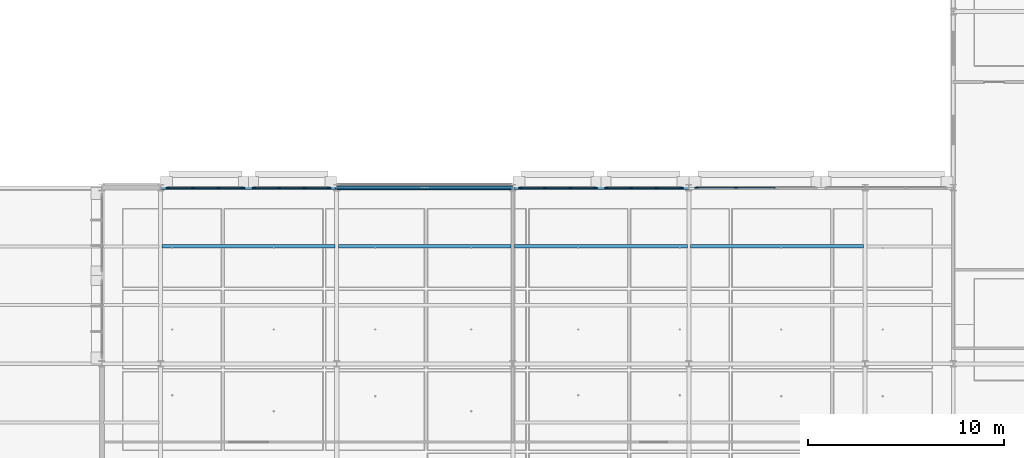
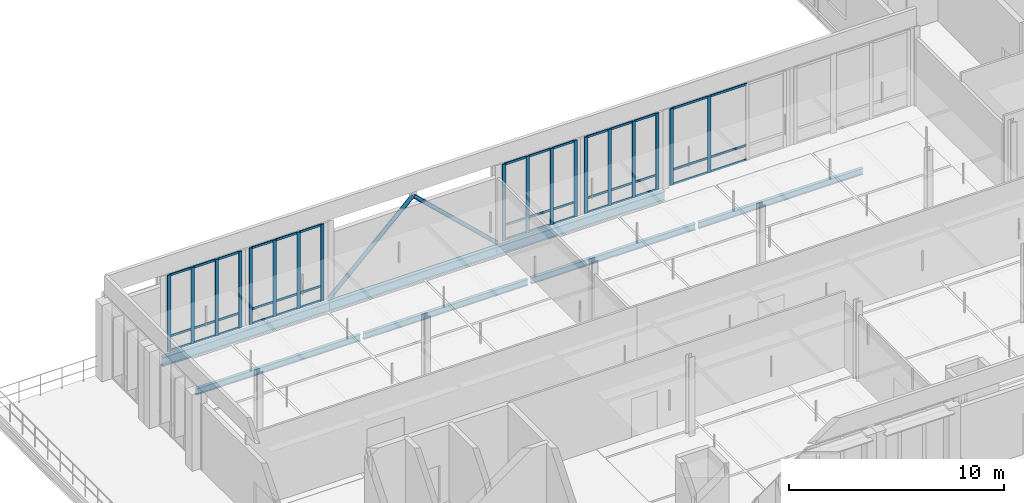
# One storey, part 27 of 89: 62 members, 7 beams, 5 elements without a shape of their own.
"""IFC4 building model written with IfcOpenShell, lengths in metres."""

from ifc_helpers import new_model, si_unit, direction, frame, origin, origin_2d, place, context, subcontext, project, spatial, rectangle, hollow_circle, i_section, extrude, material, material_profile, profile_set, type_object, element, aggregate, save


model = new_model("IFC4")

# Units and contexts
model_context = context("Model", 3, precision=1e-05, world=origin(), true_north=direction((0.0, 1.0)))
body_context = subcontext(model_context, "Body", "Model", "MODEL_VIEW")
ifc_project = project(units=[si_unit("LENGTHUNIT", "METRE"), si_unit("AREAUNIT", "SQUARE_METRE"), si_unit("VOLUMEUNIT", "CUBIC_METRE"), si_unit("PLANEANGLEUNIT", "RADIAN"), si_unit("MASSUNIT", "GRAM", prefix="KILO"), si_unit("THERMODYNAMICTEMPERATUREUNIT", "KELVIN"), si_unit("POWERUNIT", "WATT")], contexts=[model_context])

# Site, building, storey
site_placement = place(None, origin())
site = spatial("IfcSite", under=ifc_project, at=site_placement, CompositionType="ELEMENT")
building_placement = place(site_placement, origin())
building = spatial("IfcBuilding", under=site, at=building_placement, Name="Tallowbark Science Centre", CompositionType="ELEMENT")
storey_placement = place(building_placement, frame((0.0, 0.0, 14.39990234375)))
storey = spatial("IfcBuildingStorey", under=building, at=storey_placement, Name="L03", CompositionType="ELEMENT", Elevation=14.39990234375)

# Beams
ifc_material_1 = material(Name="Structural Steel Grade 300PLUS (300 MPa)", Category="steel")
ifc_material_profile_1 = material_profile(ifc_material_1, i_section(OverallWidth=0.208984375, OverallDepth=0.532958984375, WebThickness=0.01025390625, FlangeThickness=0.015625, FilletRadius=0.013916015625, at=origin_2d()), Name="530UB92.4")
ifc_profile_set_1 = profile_set([ifc_material_profile_1], Name="Structural Steel Grade 300PLUS (300 MPa)")
beam_type_1 = type_object("IfcBeamType", Name="BM-UB530A", PredefinedType="BEAM", material=ifc_profile_set_1)
for number, where, z_axis, x_axis, name in (
    (1, (72.0, 99.0, -0.4462890625), (1.0, 0.0, 0.0), (0.0, 1.0, 0.0), "Primary Girder GRDX-L03-720-810-990"),
    (2, (81.0, 99.0, -0.4462890625), (1.0, 0.0, 0.0), (0.0, 1.0, 0.0), "Primary Girder GRDX-L03-810-900-990"),
    (3, (90.0, 99.0, -0.4462890625), (1.0, 0.0, 0.0), (0.0, 1.0, 0.0), "Primary Girder GRDX-L03-900-990-990"),
):
    element("IfcBeam", number, at=place(storey_placement, frame(where, z_axis=z_axis, x_axis=x_axis)), inside=storey, type_object=beam_type_1, Name=name, PredefinedType="BEAM", context=body_context, shape_type="SweptSolid", body=[
        extrude(i_section(OverallWidth=0.208984375, OverallDepth=0.532958984375, WebThickness=0.01025390625, FlangeThickness=0.015625, FilletRadius=0.013916015625, at=origin_2d()), origin(), (0.0, 0.0, 1.0), 9.0),
    ])

# Members
ifc_material_2 = material(Name="Structural Steel Grade C350L0 (350 MPa)", Category="steel")
ifc_material_profile_2 = material_profile(ifc_material_2, hollow_circle(Radius=0.109619140625, WallThickness=0.00830078125, at=origin_2d()), Name="219.1x8.2CHS")
ifc_profile_set_2 = profile_set([ifc_material_profile_2], Name="Structural Steel Grade C350L0 (350 MPa)")
member_type_1 = type_object("IfcMemberType", Name="CBF-219CHS", PredefinedType="BRACE", material=ifc_profile_set_2)
for number, where, z_axis, x_axis, name in (
    (4, (81.0, 99.0, 0.0), (0.72701315255, 0.0, 0.686623532964), (0.0, 1.0, 0.0), "Concentric Chevron Brace CBF-LAB-N1 L03 Left"),
    (5, (90.0, 99.0, 0.0), (-0.72701315255, 0.0, 0.686623532964), (0.0, -1.0, 0.0), "Concentric Chevron Brace CBF-LAB-N1 L03 Right"),
):
    element("IfcMember", number, at=place(storey_placement, frame(where, z_axis=z_axis, x_axis=x_axis)), inside=storey, type_object=member_type_1, Name=name, PredefinedType="BRACE", context=body_context, shape_type="SweptSolid", body=[
        extrude(hollow_circle(Radius=0.109619140625, WallThickness=0.00830078125, at=origin_2d()), origin(), (0.0, 0.0, 1.0), 6.189697265625),
    ])

# Curtain wall, members
ifc_material_3 = material(Name="Unitised Thermally Broken Aluminium and Low-E Double Glazing", Category="aluminium")
curtain_wall_type = type_object("IfcCurtainWallType", Name="CW-SYS-FACADE", PredefinedType="NOTDEFINED", material=ifc_material_3)
curtain_wall_1_placement = place(storey_placement, origin())
curtain_wall_1 = element("IfcCurtainWall", 6, at=curtain_wall_1_placement, inside=storey, type_object=curtain_wall_type, Name="Unitised Curtain Wall LAB-N-72A CW-L03-084", PredefinedType="NOTDEFINED")
ifc_material_4 = material(Name="Anodised Architectural Aluminium Alloy 6063-T6", Category="aluminium")
ifc_material_profile_3 = material_profile(ifc_material_4, rectangle(XDim=0.06494140625, YDim=0.179931640625, at=origin_2d()), Name="ALU65x180")
ifc_profile_set_3 = profile_set([ifc_material_profile_3], Name="Anodised Architectural Aluminium Alloy 6063-T6")
member_type_2 = type_object("IfcMemberType", Name="CWM-MUL-220", PredefinedType="MULLION", material=ifc_profile_set_3)
member_1_placement = place(storey_placement, frame((80.617431640625, 99.0, 0.0), z_axis=(0.0, 0.0, 1.0), x_axis=(0.0, -1.0, 0.0)))
member_1 = element("IfcMember", 7, at=member_1_placement, type_object=member_type_2, Name="CW-01 mullion 1", PredefinedType="MULLION", context=body_context, shape_type="SweptSolid", body=[
    extrude(rectangle(XDim=0.06494140625, YDim=0.179931640625, at=origin_2d()), origin(), (0.0, 0.0, 1.0), 4.340087890625),
])
member_2_placement = place(storey_placement, frame((79.35009765625, 99.0, 0.0), z_axis=(0.0, 0.0, 1.0), x_axis=(0.0, -1.0, 0.0)))
member_2 = element("IfcMember", 8, at=member_2_placement, type_object=member_type_2, Name="CW-01 mullion 2", PredefinedType="MULLION", context=body_context, shape_type="SweptSolid", body=[
    extrude(rectangle(XDim=0.06494140625, YDim=0.179931640625, at=origin_2d()), origin(), (0.0, 0.0, 1.0), 4.340087890625),
])
member_3_placement = place(storey_placement, frame((78.050048828125, 99.0, 0.0), z_axis=(0.0, 0.0, 1.0), x_axis=(0.0, -1.0, 0.0)))
member_3 = element("IfcMember", 9, at=member_3_placement, type_object=member_type_2, Name="CW-01 mullion 3", PredefinedType="MULLION", context=body_context, shape_type="SweptSolid", body=[
    extrude(rectangle(XDim=0.06494140625, YDim=0.179931640625, at=origin_2d()), origin(), (0.0, 0.0, 1.0), 4.340087890625),
])
member_4_placement = place(storey_placement, frame((76.782470703125, 99.0, 0.0), z_axis=(0.0, 0.0, 1.0), x_axis=(0.0, -1.0, 0.0)))
member_4 = element("IfcMember", 10, at=member_4_placement, type_object=member_type_2, Name="CW-01 mullion 4", PredefinedType="MULLION", context=body_context, shape_type="SweptSolid", body=[
    extrude(rectangle(XDim=0.06494140625, YDim=0.179931640625, at=origin_2d()), origin(), (0.0, 0.0, 1.0), 4.340087890625),
])

curtain_wall_2_placement = place(storey_placement, origin())
curtain_wall_2 = element("IfcCurtainWall", 11, at=curtain_wall_2_placement, inside=storey, type_object=curtain_wall_type, Name="Unitised Curtain Wall LAB-N-72B CW-L03-085", PredefinedType="NOTDEFINED")
member_5_placement = place(storey_placement, frame((76.217529296875, 99.0, 0.0), z_axis=(0.0, 0.0, 1.0), x_axis=(0.0, -1.0, 0.0)))
member_5 = element("IfcMember", 12, at=member_5_placement, type_object=member_type_2, Name="CW-01 mullion 1", PredefinedType="MULLION", context=body_context, shape_type="SweptSolid", body=[
    extrude(rectangle(XDim=0.06494140625, YDim=0.179931640625, at=origin_2d()), origin(), (0.0, 0.0, 1.0), 4.340087890625),
])
member_6_placement = place(storey_placement, frame((74.949951171875, 99.0, 0.0), z_axis=(0.0, 0.0, 1.0), x_axis=(0.0, -1.0, 0.0)))
member_6 = element("IfcMember", 13, at=member_6_placement, type_object=member_type_2, Name="CW-01 mullion 2", PredefinedType="MULLION", context=body_context, shape_type="SweptSolid", body=[
    extrude(rectangle(XDim=0.06494140625, YDim=0.179931640625, at=origin_2d()), origin(), (0.0, 0.0, 1.0), 4.340087890625),
])
member_7_placement = place(storey_placement, frame((73.64990234375, 99.0, 0.0), z_axis=(0.0, 0.0, 1.0), x_axis=(0.0, -1.0, 0.0)))
member_7 = element("IfcMember", 14, at=member_7_placement, type_object=member_type_2, Name="CW-01 mullion 3", PredefinedType="MULLION", context=body_context, shape_type="SweptSolid", body=[
    extrude(rectangle(XDim=0.06494140625, YDim=0.179931640625, at=origin_2d()), origin(), (0.0, 0.0, 1.0), 4.340087890625),
])
member_8_placement = place(storey_placement, frame((72.382568359375, 99.0, 0.0), z_axis=(0.0, 0.0, 1.0), x_axis=(0.0, -1.0, 0.0)))
member_8 = element("IfcMember", 15, at=member_8_placement, type_object=member_type_2, Name="CW-01 mullion 4", PredefinedType="MULLION", context=body_context, shape_type="SweptSolid", body=[
    extrude(rectangle(XDim=0.06494140625, YDim=0.179931640625, at=origin_2d()), origin(), (0.0, 0.0, 1.0), 4.340087890625),
])

curtain_wall_3_placement = place(storey_placement, origin())
curtain_wall_3 = element("IfcCurtainWall", 16, at=curtain_wall_3_placement, inside=storey, type_object=curtain_wall_type, Name="Unitised Curtain Wall LAB-N-90A CW-L03-086", PredefinedType="NOTDEFINED")
member_9_placement = place(storey_placement, frame((98.617431640625, 99.0, 0.0), z_axis=(0.0, 0.0, 1.0), x_axis=(0.0, -1.0, 0.0)))
member_9 = element("IfcMember", 17, at=member_9_placement, type_object=member_type_2, Name="CW-01 mullion 1", PredefinedType="MULLION", context=body_context, shape_type="SweptSolid", body=[
    extrude(rectangle(XDim=0.06494140625, YDim=0.179931640625, at=origin_2d()), origin(), (0.0, 0.0, 1.0), 4.340087890625),
])
member_10_placement = place(storey_placement, frame((97.35009765625, 99.0, 0.0), z_axis=(0.0, 0.0, 1.0), x_axis=(0.0, -1.0, 0.0)))
member_10 = element("IfcMember", 18, at=member_10_placement, type_object=member_type_2, Name="CW-01 mullion 2", PredefinedType="MULLION", context=body_context, shape_type="SweptSolid", body=[
    extrude(rectangle(XDim=0.06494140625, YDim=0.179931640625, at=origin_2d()), origin(), (0.0, 0.0, 1.0), 4.340087890625),
])
member_11_placement = place(storey_placement, frame((96.050048828125, 99.0, 0.0), z_axis=(0.0, 0.0, 1.0), x_axis=(0.0, -1.0, 0.0)))
member_11 = element("IfcMember", 19, at=member_11_placement, type_object=member_type_2, Name="CW-01 mullion 3", PredefinedType="MULLION", context=body_context, shape_type="SweptSolid", body=[
    extrude(rectangle(XDim=0.06494140625, YDim=0.179931640625, at=origin_2d()), origin(), (0.0, 0.0, 1.0), 4.340087890625),
])
member_12_placement = place(storey_placement, frame((94.782470703125, 99.0, 0.0), z_axis=(0.0, 0.0, 1.0), x_axis=(0.0, -1.0, 0.0)))
member_12 = element("IfcMember", 20, at=member_12_placement, type_object=member_type_2, Name="CW-01 mullion 4", PredefinedType="MULLION", context=body_context, shape_type="SweptSolid", body=[
    extrude(rectangle(XDim=0.06494140625, YDim=0.179931640625, at=origin_2d()), origin(), (0.0, 0.0, 1.0), 4.340087890625),
])

curtain_wall_4_placement = place(storey_placement, origin())
curtain_wall_4 = element("IfcCurtainWall", 21, at=curtain_wall_4_placement, inside=storey, type_object=curtain_wall_type, Name="Unitised Curtain Wall LAB-N-90B CW-L03-087", PredefinedType="NOTDEFINED")
member_13_placement = place(storey_placement, frame((94.217529296875, 99.0, 0.0), z_axis=(0.0, 0.0, 1.0), x_axis=(0.0, -1.0, 0.0)))
member_13 = element("IfcMember", 22, at=member_13_placement, type_object=member_type_2, Name="CW-01 mullion 1", PredefinedType="MULLION", context=body_context, shape_type="SweptSolid", body=[
    extrude(rectangle(XDim=0.06494140625, YDim=0.179931640625, at=origin_2d()), origin(), (0.0, 0.0, 1.0), 4.340087890625),
])
member_14_placement = place(storey_placement, frame((92.949951171875, 99.0, 0.0), z_axis=(0.0, 0.0, 1.0), x_axis=(0.0, -1.0, 0.0)))
member_14 = element("IfcMember", 23, at=member_14_placement, type_object=member_type_2, Name="CW-01 mullion 2", PredefinedType="MULLION", context=body_context, shape_type="SweptSolid", body=[
    extrude(rectangle(XDim=0.06494140625, YDim=0.179931640625, at=origin_2d()), origin(), (0.0, 0.0, 1.0), 4.340087890625),
])
member_15_placement = place(storey_placement, frame((91.64990234375, 99.0, 0.0), z_axis=(0.0, 0.0, 1.0), x_axis=(0.0, -1.0, 0.0)))
member_15 = element("IfcMember", 24, at=member_15_placement, type_object=member_type_2, Name="CW-01 mullion 3", PredefinedType="MULLION", context=body_context, shape_type="SweptSolid", body=[
    extrude(rectangle(XDim=0.06494140625, YDim=0.179931640625, at=origin_2d()), origin(), (0.0, 0.0, 1.0), 4.340087890625),
])
member_16_placement = place(storey_placement, frame((90.382568359375, 99.0, 0.0), z_axis=(0.0, 0.0, 1.0), x_axis=(0.0, -1.0, 0.0)))
member_16 = element("IfcMember", 25, at=member_16_placement, type_object=member_type_2, Name="CW-01 mullion 4", PredefinedType="MULLION", context=body_context, shape_type="SweptSolid", body=[
    extrude(rectangle(XDim=0.06494140625, YDim=0.179931640625, at=origin_2d()), origin(), (0.0, 0.0, 1.0), 4.340087890625),
])

curtain_wall_5_placement = place(storey_placement, origin())
curtain_wall_5 = element("IfcCurtainWall", 26, at=curtain_wall_5_placement, inside=storey, type_object=curtain_wall_type, Name="Unitised Curtain Wall LAB-N-99B CW-L03-089", PredefinedType="NOTDEFINED")
member_17_placement = place(storey_placement, frame((101.39990234375, 99.0, 0.0), z_axis=(0.0, 0.0, 1.0), x_axis=(0.0, -1.0, 0.0)))
member_17 = element("IfcMember", 27, at=member_17_placement, type_object=member_type_2, Name="CW-01 mullion 3", PredefinedType="MULLION", context=body_context, shape_type="SweptSolid", body=[
    extrude(rectangle(XDim=0.06494140625, YDim=0.179931640625, at=origin_2d()), origin(), (0.0, 0.0, 1.0), 4.340087890625),
])
member_18_placement = place(storey_placement, frame((99.382568359375, 99.0, 0.0), z_axis=(0.0, 0.0, 1.0), x_axis=(0.0, -1.0, 0.0)))
member_18 = element("IfcMember", 28, at=member_18_placement, type_object=member_type_2, Name="CW-01 mullion 4", PredefinedType="MULLION", context=body_context, shape_type="SweptSolid", body=[
    extrude(rectangle(XDim=0.06494140625, YDim=0.179931640625, at=origin_2d()), origin(), (0.0, 0.0, 1.0), 4.340087890625),
])

# Member
ifc_material_profile_4 = material_profile(ifc_material_4, rectangle(XDim=0.054931640625, YDim=0.1201171875, at=origin_2d()), Name="ALU55x120")
ifc_profile_set_4 = profile_set([ifc_material_profile_4], Name="Anodised Architectural Aluminium Alloy 6063-T6")
member_type_3 = type_object("IfcMemberType", Name="CWM-TRN-150", PredefinedType="USERDEFINED", material=ifc_profile_set_4)
member_19_placement = place(storey_placement, frame((80.5849609375, 99.0, 0.027587890625), z_axis=(-1.0, 0.0, 0.0), x_axis=(0.0, -1.0, 0.0)))
member_19 = element("IfcMember", 29, at=member_19_placement, type_object=member_type_3, Name="CW-01 transom 1.1", ObjectType="TRANSOM", PredefinedType="USERDEFINED", context=body_context, shape_type="SweptSolid", body=[
    extrude(rectangle(XDim=0.054931640625, YDim=0.1201171875, at=origin_2d()), origin(), (0.0, 0.0, 1.0), 1.202392578125),
])

member_20_placement = place(storey_placement, frame((80.5849609375, 99.0, 0.85009765625), z_axis=(-1.0, 0.0, 0.0), x_axis=(0.0, -1.0, 0.0)))
member_20 = element("IfcMember", 30, at=member_20_placement, type_object=member_type_3, Name="CW-01 transom 1.2", ObjectType="TRANSOM", PredefinedType="USERDEFINED", context=body_context, shape_type="SweptSolid", body=[
    extrude(rectangle(XDim=0.054931640625, YDim=0.1201171875, at=origin_2d()), origin(), (0.0, 0.0, 1.0), 1.202392578125),
])

member_21_placement = place(storey_placement, frame((80.5849609375, 99.0, 4.3125), z_axis=(-1.0, 0.0, 0.0), x_axis=(0.0, -1.0, 0.0)))
member_21 = element("IfcMember", 31, at=member_21_placement, type_object=member_type_3, Name="CW-01 transom 1.3", ObjectType="TRANSOM", PredefinedType="USERDEFINED", context=body_context, shape_type="SweptSolid", body=[
    extrude(rectangle(XDim=0.054931640625, YDim=0.1201171875, at=origin_2d()), origin(), (0.0, 0.0, 1.0), 1.202392578125),
])

member_22_placement = place(storey_placement, frame((79.3173828125, 99.0, 0.027587890625), z_axis=(-1.0, 0.0, 0.0), x_axis=(0.0, -1.0, 0.0)))
member_22 = element("IfcMember", 32, at=member_22_placement, type_object=member_type_3, Name="CW-01 transom 2.1", ObjectType="TRANSOM", PredefinedType="USERDEFINED", context=body_context, shape_type="SweptSolid", body=[
    extrude(rectangle(XDim=0.054931640625, YDim=0.1201171875, at=origin_2d()), origin(), (0.0, 0.0, 1.0), 1.23486328125),
])

member_23_placement = place(storey_placement, frame((79.3173828125, 99.0, 0.85009765625), z_axis=(-1.0, 0.0, 0.0), x_axis=(0.0, -1.0, 0.0)))
member_23 = element("IfcMember", 33, at=member_23_placement, type_object=member_type_3, Name="CW-01 transom 2.2", ObjectType="TRANSOM", PredefinedType="USERDEFINED", context=body_context, shape_type="SweptSolid", body=[
    extrude(rectangle(XDim=0.054931640625, YDim=0.1201171875, at=origin_2d()), origin(), (0.0, 0.0, 1.0), 1.23486328125),
])

member_24_placement = place(storey_placement, frame((79.3173828125, 99.0, 4.3125), z_axis=(-1.0, 0.0, 0.0), x_axis=(0.0, -1.0, 0.0)))
member_24 = element("IfcMember", 34, at=member_24_placement, type_object=member_type_3, Name="CW-01 transom 2.3", ObjectType="TRANSOM", PredefinedType="USERDEFINED", context=body_context, shape_type="SweptSolid", body=[
    extrude(rectangle(XDim=0.054931640625, YDim=0.1201171875, at=origin_2d()), origin(), (0.0, 0.0, 1.0), 1.23486328125),
])

member_25_placement = place(storey_placement, frame((78.017578125, 99.0, 0.027587890625), z_axis=(-1.0, 0.0, 0.0), x_axis=(0.0, -1.0, 0.0)))
member_25 = element("IfcMember", 35, at=member_25_placement, type_object=member_type_3, Name="CW-01 transom 3.1", ObjectType="TRANSOM", PredefinedType="USERDEFINED", context=body_context, shape_type="SweptSolid", body=[
    extrude(rectangle(XDim=0.054931640625, YDim=0.1201171875, at=origin_2d()), origin(), (0.0, 0.0, 1.0), 1.20263671875),
])

member_26_placement = place(storey_placement, frame((78.017578125, 99.0, 0.85009765625), z_axis=(-1.0, 0.0, 0.0), x_axis=(0.0, -1.0, 0.0)))
member_26 = element("IfcMember", 36, at=member_26_placement, type_object=member_type_3, Name="CW-01 transom 3.2", ObjectType="TRANSOM", PredefinedType="USERDEFINED", context=body_context, shape_type="SweptSolid", body=[
    extrude(rectangle(XDim=0.054931640625, YDim=0.1201171875, at=origin_2d()), origin(), (0.0, 0.0, 1.0), 1.20263671875),
])

member_27_placement = place(storey_placement, frame((78.017578125, 99.0, 4.3125), z_axis=(-1.0, 0.0, 0.0), x_axis=(0.0, -1.0, 0.0)))
member_27 = element("IfcMember", 37, at=member_27_placement, type_object=member_type_3, Name="CW-01 transom 3.3", ObjectType="TRANSOM", PredefinedType="USERDEFINED", context=body_context, shape_type="SweptSolid", body=[
    extrude(rectangle(XDim=0.054931640625, YDim=0.1201171875, at=origin_2d()), origin(), (0.0, 0.0, 1.0), 1.20263671875),
])

aggregate(curtain_wall_1, [member_1, member_2, member_3, member_4, member_19, member_20, member_21, member_22, member_23, member_24, member_25, member_26, member_27])

member_28_placement = place(storey_placement, frame((76.18505859375, 99.0, 0.027587890625), z_axis=(-1.0, 0.0, 0.0), x_axis=(0.0, -1.0, 0.0)))
member_28 = element("IfcMember", 38, at=member_28_placement, type_object=member_type_3, Name="CW-01 transom 1.1", ObjectType="TRANSOM", PredefinedType="USERDEFINED", context=body_context, shape_type="SweptSolid", body=[
    extrude(rectangle(XDim=0.054931640625, YDim=0.1201171875, at=origin_2d()), origin(), (0.0, 0.0, 1.0), 1.20263671875),
])

member_29_placement = place(storey_placement, frame((76.18505859375, 99.0, 0.85009765625), z_axis=(-1.0, 0.0, 0.0), x_axis=(0.0, -1.0, 0.0)))
member_29 = element("IfcMember", 39, at=member_29_placement, type_object=member_type_3, Name="CW-01 transom 1.2", ObjectType="TRANSOM", PredefinedType="USERDEFINED", context=body_context, shape_type="SweptSolid", body=[
    extrude(rectangle(XDim=0.054931640625, YDim=0.1201171875, at=origin_2d()), origin(), (0.0, 0.0, 1.0), 1.20263671875),
])

member_30_placement = place(storey_placement, frame((76.18505859375, 99.0, 4.3125), z_axis=(-1.0, 0.0, 0.0), x_axis=(0.0, -1.0, 0.0)))
member_30 = element("IfcMember", 40, at=member_30_placement, type_object=member_type_3, Name="CW-01 transom 1.3", ObjectType="TRANSOM", PredefinedType="USERDEFINED", context=body_context, shape_type="SweptSolid", body=[
    extrude(rectangle(XDim=0.054931640625, YDim=0.1201171875, at=origin_2d()), origin(), (0.0, 0.0, 1.0), 1.20263671875),
])

member_31_placement = place(storey_placement, frame((74.91748046875, 99.0, 0.027587890625), z_axis=(-1.0, 0.0, 0.0), x_axis=(0.0, -1.0, 0.0)))
member_31 = element("IfcMember", 41, at=member_31_placement, type_object=member_type_3, Name="CW-01 transom 2.1", ObjectType="TRANSOM", PredefinedType="USERDEFINED", context=body_context, shape_type="SweptSolid", body=[
    extrude(rectangle(XDim=0.054931640625, YDim=0.1201171875, at=origin_2d()), origin(), (0.0, 0.0, 1.0), 1.23486328125),
])

member_32_placement = place(storey_placement, frame((74.91748046875, 99.0, 0.85009765625), z_axis=(-1.0, 0.0, 0.0), x_axis=(0.0, -1.0, 0.0)))
member_32 = element("IfcMember", 42, at=member_32_placement, type_object=member_type_3, Name="CW-01 transom 2.2", ObjectType="TRANSOM", PredefinedType="USERDEFINED", context=body_context, shape_type="SweptSolid", body=[
    extrude(rectangle(XDim=0.054931640625, YDim=0.1201171875, at=origin_2d()), origin(), (0.0, 0.0, 1.0), 1.23486328125),
])

member_33_placement = place(storey_placement, frame((74.91748046875, 99.0, 4.3125), z_axis=(-1.0, 0.0, 0.0), x_axis=(0.0, -1.0, 0.0)))
member_33 = element("IfcMember", 43, at=member_33_placement, type_object=member_type_3, Name="CW-01 transom 2.3", ObjectType="TRANSOM", PredefinedType="USERDEFINED", context=body_context, shape_type="SweptSolid", body=[
    extrude(rectangle(XDim=0.054931640625, YDim=0.1201171875, at=origin_2d()), origin(), (0.0, 0.0, 1.0), 1.23486328125),
])

member_34_placement = place(storey_placement, frame((73.617431640625, 99.0, 0.027587890625), z_axis=(-1.0, 0.0, 0.0), x_axis=(0.0, -1.0, 0.0)))
member_34 = element("IfcMember", 44, at=member_34_placement, type_object=member_type_3, Name="CW-01 transom 3.1", ObjectType="TRANSOM", PredefinedType="USERDEFINED", context=body_context, shape_type="SweptSolid", body=[
    extrude(rectangle(XDim=0.054931640625, YDim=0.1201171875, at=origin_2d()), origin(), (0.0, 0.0, 1.0), 1.202392578125),
])

member_35_placement = place(storey_placement, frame((73.617431640625, 99.0, 0.85009765625), z_axis=(-1.0, 0.0, 0.0), x_axis=(0.0, -1.0, 0.0)))
member_35 = element("IfcMember", 45, at=member_35_placement, type_object=member_type_3, Name="CW-01 transom 3.2", ObjectType="TRANSOM", PredefinedType="USERDEFINED", context=body_context, shape_type="SweptSolid", body=[
    extrude(rectangle(XDim=0.054931640625, YDim=0.1201171875, at=origin_2d()), origin(), (0.0, 0.0, 1.0), 1.202392578125),
])

member_36_placement = place(storey_placement, frame((73.617431640625, 99.0, 4.3125), z_axis=(-1.0, 0.0, 0.0), x_axis=(0.0, -1.0, 0.0)))
member_36 = element("IfcMember", 46, at=member_36_placement, type_object=member_type_3, Name="CW-01 transom 3.3", ObjectType="TRANSOM", PredefinedType="USERDEFINED", context=body_context, shape_type="SweptSolid", body=[
    extrude(rectangle(XDim=0.054931640625, YDim=0.1201171875, at=origin_2d()), origin(), (0.0, 0.0, 1.0), 1.202392578125),
])

aggregate(curtain_wall_2, [member_5, member_6, member_7, member_8, member_28, member_29, member_30, member_31, member_32, member_33, member_34, member_35, member_36])

member_37_placement = place(storey_placement, frame((98.5849609375, 99.0, 0.027587890625), z_axis=(-1.0, 0.0, 0.0), x_axis=(0.0, -1.0, 0.0)))
member_37 = element("IfcMember", 47, at=member_37_placement, type_object=member_type_3, Name="CW-01 transom 1.1", ObjectType="TRANSOM", PredefinedType="USERDEFINED", context=body_context, shape_type="SweptSolid", body=[
    extrude(rectangle(XDim=0.054931640625, YDim=0.1201171875, at=origin_2d()), origin(), (0.0, 0.0, 1.0), 1.202392578125),
])

member_38_placement = place(storey_placement, frame((98.5849609375, 99.0, 0.85009765625), z_axis=(-1.0, 0.0, 0.0), x_axis=(0.0, -1.0, 0.0)))
member_38 = element("IfcMember", 48, at=member_38_placement, type_object=member_type_3, Name="CW-01 transom 1.2", ObjectType="TRANSOM", PredefinedType="USERDEFINED", context=body_context, shape_type="SweptSolid", body=[
    extrude(rectangle(XDim=0.054931640625, YDim=0.1201171875, at=origin_2d()), origin(), (0.0, 0.0, 1.0), 1.202392578125),
])

member_39_placement = place(storey_placement, frame((98.5849609375, 99.0, 4.3125), z_axis=(-1.0, 0.0, 0.0), x_axis=(0.0, -1.0, 0.0)))
member_39 = element("IfcMember", 49, at=member_39_placement, type_object=member_type_3, Name="CW-01 transom 1.3", ObjectType="TRANSOM", PredefinedType="USERDEFINED", context=body_context, shape_type="SweptSolid", body=[
    extrude(rectangle(XDim=0.054931640625, YDim=0.1201171875, at=origin_2d()), origin(), (0.0, 0.0, 1.0), 1.202392578125),
])

member_40_placement = place(storey_placement, frame((97.3173828125, 99.0, 0.027587890625), z_axis=(-1.0, 0.0, 0.0), x_axis=(0.0, -1.0, 0.0)))
member_40 = element("IfcMember", 50, at=member_40_placement, type_object=member_type_3, Name="CW-01 transom 2.1", ObjectType="TRANSOM", PredefinedType="USERDEFINED", context=body_context, shape_type="SweptSolid", body=[
    extrude(rectangle(XDim=0.054931640625, YDim=0.1201171875, at=origin_2d()), origin(), (0.0, 0.0, 1.0), 1.23486328125),
])

member_41_placement = place(storey_placement, frame((97.3173828125, 99.0, 0.85009765625), z_axis=(-1.0, 0.0, 0.0), x_axis=(0.0, -1.0, 0.0)))
member_41 = element("IfcMember", 51, at=member_41_placement, type_object=member_type_3, Name="CW-01 transom 2.2", ObjectType="TRANSOM", PredefinedType="USERDEFINED", context=body_context, shape_type="SweptSolid", body=[
    extrude(rectangle(XDim=0.054931640625, YDim=0.1201171875, at=origin_2d()), origin(), (0.0, 0.0, 1.0), 1.23486328125),
])

member_42_placement = place(storey_placement, frame((97.3173828125, 99.0, 4.3125), z_axis=(-1.0, 0.0, 0.0), x_axis=(0.0, -1.0, 0.0)))
member_42 = element("IfcMember", 52, at=member_42_placement, type_object=member_type_3, Name="CW-01 transom 2.3", ObjectType="TRANSOM", PredefinedType="USERDEFINED", context=body_context, shape_type="SweptSolid", body=[
    extrude(rectangle(XDim=0.054931640625, YDim=0.1201171875, at=origin_2d()), origin(), (0.0, 0.0, 1.0), 1.23486328125),
])

member_43_placement = place(storey_placement, frame((96.017578125, 99.0, 0.027587890625), z_axis=(-1.0, 0.0, 0.0), x_axis=(0.0, -1.0, 0.0)))
member_43 = element("IfcMember", 53, at=member_43_placement, type_object=member_type_3, Name="CW-01 transom 3.1", ObjectType="TRANSOM", PredefinedType="USERDEFINED", context=body_context, shape_type="SweptSolid", body=[
    extrude(rectangle(XDim=0.054931640625, YDim=0.1201171875, at=origin_2d()), origin(), (0.0, 0.0, 1.0), 1.20263671875),
])

member_44_placement = place(storey_placement, frame((96.017578125, 99.0, 0.85009765625), z_axis=(-1.0, 0.0, 0.0), x_axis=(0.0, -1.0, 0.0)))
member_44 = element("IfcMember", 54, at=member_44_placement, type_object=member_type_3, Name="CW-01 transom 3.2", ObjectType="TRANSOM", PredefinedType="USERDEFINED", context=body_context, shape_type="SweptSolid", body=[
    extrude(rectangle(XDim=0.054931640625, YDim=0.1201171875, at=origin_2d()), origin(), (0.0, 0.0, 1.0), 1.20263671875),
])

member_45_placement = place(storey_placement, frame((96.017578125, 99.0, 4.3125), z_axis=(-1.0, 0.0, 0.0), x_axis=(0.0, -1.0, 0.0)))
member_45 = element("IfcMember", 55, at=member_45_placement, type_object=member_type_3, Name="CW-01 transom 3.3", ObjectType="TRANSOM", PredefinedType="USERDEFINED", context=body_context, shape_type="SweptSolid", body=[
    extrude(rectangle(XDim=0.054931640625, YDim=0.1201171875, at=origin_2d()), origin(), (0.0, 0.0, 1.0), 1.20263671875),
])

aggregate(curtain_wall_3, [member_9, member_10, member_11, member_12, member_37, member_38, member_39, member_40, member_41, member_42, member_43, member_44, member_45])

member_46_placement = place(storey_placement, frame((94.18505859375, 99.0, 0.027587890625), z_axis=(-1.0, 0.0, 0.0), x_axis=(0.0, -1.0, 0.0)))
member_46 = element("IfcMember", 56, at=member_46_placement, type_object=member_type_3, Name="CW-01 transom 1.1", ObjectType="TRANSOM", PredefinedType="USERDEFINED", context=body_context, shape_type="SweptSolid", body=[
    extrude(rectangle(XDim=0.054931640625, YDim=0.1201171875, at=origin_2d()), origin(), (0.0, 0.0, 1.0), 1.20263671875),
])

member_47_placement = place(storey_placement, frame((94.18505859375, 99.0, 0.85009765625), z_axis=(-1.0, 0.0, 0.0), x_axis=(0.0, -1.0, 0.0)))
member_47 = element("IfcMember", 57, at=member_47_placement, type_object=member_type_3, Name="CW-01 transom 1.2", ObjectType="TRANSOM", PredefinedType="USERDEFINED", context=body_context, shape_type="SweptSolid", body=[
    extrude(rectangle(XDim=0.054931640625, YDim=0.1201171875, at=origin_2d()), origin(), (0.0, 0.0, 1.0), 1.20263671875),
])

member_48_placement = place(storey_placement, frame((94.18505859375, 99.0, 4.3125), z_axis=(-1.0, 0.0, 0.0), x_axis=(0.0, -1.0, 0.0)))
member_48 = element("IfcMember", 58, at=member_48_placement, type_object=member_type_3, Name="CW-01 transom 1.3", ObjectType="TRANSOM", PredefinedType="USERDEFINED", context=body_context, shape_type="SweptSolid", body=[
    extrude(rectangle(XDim=0.054931640625, YDim=0.1201171875, at=origin_2d()), origin(), (0.0, 0.0, 1.0), 1.20263671875),
])

member_49_placement = place(storey_placement, frame((92.91748046875, 99.0, 0.027587890625), z_axis=(-1.0, 0.0, 0.0), x_axis=(0.0, -1.0, 0.0)))
member_49 = element("IfcMember", 59, at=member_49_placement, type_object=member_type_3, Name="CW-01 transom 2.1", ObjectType="TRANSOM", PredefinedType="USERDEFINED", context=body_context, shape_type="SweptSolid", body=[
    extrude(rectangle(XDim=0.054931640625, YDim=0.1201171875, at=origin_2d()), origin(), (0.0, 0.0, 1.0), 1.23486328125),
])

member_50_placement = place(storey_placement, frame((92.91748046875, 99.0, 0.85009765625), z_axis=(-1.0, 0.0, 0.0), x_axis=(0.0, -1.0, 0.0)))
member_50 = element("IfcMember", 60, at=member_50_placement, type_object=member_type_3, Name="CW-01 transom 2.2", ObjectType="TRANSOM", PredefinedType="USERDEFINED", context=body_context, shape_type="SweptSolid", body=[
    extrude(rectangle(XDim=0.054931640625, YDim=0.1201171875, at=origin_2d()), origin(), (0.0, 0.0, 1.0), 1.23486328125),
])

member_51_placement = place(storey_placement, frame((92.91748046875, 99.0, 4.3125), z_axis=(-1.0, 0.0, 0.0), x_axis=(0.0, -1.0, 0.0)))
member_51 = element("IfcMember", 61, at=member_51_placement, type_object=member_type_3, Name="CW-01 transom 2.3", ObjectType="TRANSOM", PredefinedType="USERDEFINED", context=body_context, shape_type="SweptSolid", body=[
    extrude(rectangle(XDim=0.054931640625, YDim=0.1201171875, at=origin_2d()), origin(), (0.0, 0.0, 1.0), 1.23486328125),
])

member_52_placement = place(storey_placement, frame((91.617431640625, 99.0, 0.027587890625), z_axis=(-1.0, 0.0, 0.0), x_axis=(0.0, -1.0, 0.0)))
member_52 = element("IfcMember", 62, at=member_52_placement, type_object=member_type_3, Name="CW-01 transom 3.1", ObjectType="TRANSOM", PredefinedType="USERDEFINED", context=body_context, shape_type="SweptSolid", body=[
    extrude(rectangle(XDim=0.054931640625, YDim=0.1201171875, at=origin_2d()), origin(), (0.0, 0.0, 1.0), 1.202392578125),
])

member_53_placement = place(storey_placement, frame((91.617431640625, 99.0, 0.85009765625), z_axis=(-1.0, 0.0, 0.0), x_axis=(0.0, -1.0, 0.0)))
member_53 = element("IfcMember", 63, at=member_53_placement, type_object=member_type_3, Name="CW-01 transom 3.2", ObjectType="TRANSOM", PredefinedType="USERDEFINED", context=body_context, shape_type="SweptSolid", body=[
    extrude(rectangle(XDim=0.054931640625, YDim=0.1201171875, at=origin_2d()), origin(), (0.0, 0.0, 1.0), 1.202392578125),
])

member_54_placement = place(storey_placement, frame((91.617431640625, 99.0, 4.3125), z_axis=(-1.0, 0.0, 0.0), x_axis=(0.0, -1.0, 0.0)))
member_54 = element("IfcMember", 64, at=member_54_placement, type_object=member_type_3, Name="CW-01 transom 3.3", ObjectType="TRANSOM", PredefinedType="USERDEFINED", context=body_context, shape_type="SweptSolid", body=[
    extrude(rectangle(XDim=0.054931640625, YDim=0.1201171875, at=origin_2d()), origin(), (0.0, 0.0, 1.0), 1.202392578125),
])

aggregate(curtain_wall_4, [member_13, member_14, member_15, member_16, member_46, member_47, member_48, member_49, member_50, member_51, member_52, member_53, member_54])

member_55_placement = place(storey_placement, frame((103.41748046875, 99.0, 0.027587890625), z_axis=(-1.0, 0.0, 0.0), x_axis=(0.0, -1.0, 0.0)))
member_55 = element("IfcMember", 65, at=member_55_placement, type_object=member_type_3, Name="CW-01 transom 2.1", ObjectType="TRANSOM", PredefinedType="USERDEFINED", context=body_context, shape_type="SweptSolid", body=[
    extrude(rectangle(XDim=0.054931640625, YDim=0.1201171875, at=origin_2d()), origin(), (0.0, 0.0, 1.0), 1.98486328125),
])

member_56_placement = place(storey_placement, frame((103.41748046875, 99.0, 0.85009765625), z_axis=(-1.0, 0.0, 0.0), x_axis=(0.0, -1.0, 0.0)))
member_56 = element("IfcMember", 66, at=member_56_placement, type_object=member_type_3, Name="CW-01 transom 2.2", ObjectType="TRANSOM", PredefinedType="USERDEFINED", context=body_context, shape_type="SweptSolid", body=[
    extrude(rectangle(XDim=0.054931640625, YDim=0.1201171875, at=origin_2d()), origin(), (0.0, 0.0, 1.0), 1.98486328125),
])

member_57_placement = place(storey_placement, frame((103.41748046875, 99.0, 4.3125), z_axis=(-1.0, 0.0, 0.0), x_axis=(0.0, -1.0, 0.0)))
member_57 = element("IfcMember", 67, at=member_57_placement, type_object=member_type_3, Name="CW-01 transom 2.3", ObjectType="TRANSOM", PredefinedType="USERDEFINED", context=body_context, shape_type="SweptSolid", body=[
    extrude(rectangle(XDim=0.054931640625, YDim=0.1201171875, at=origin_2d()), origin(), (0.0, 0.0, 1.0), 1.98486328125),
])

member_58_placement = place(storey_placement, frame((101.367431640625, 99.0, 0.027587890625), z_axis=(-1.0, 0.0, 0.0), x_axis=(0.0, -1.0, 0.0)))
member_58 = element("IfcMember", 68, at=member_58_placement, type_object=member_type_3, Name="CW-01 transom 3.1", ObjectType="TRANSOM", PredefinedType="USERDEFINED", context=body_context, shape_type="SweptSolid", body=[
    extrude(rectangle(XDim=0.054931640625, YDim=0.1201171875, at=origin_2d()), origin(), (0.0, 0.0, 1.0), 1.952392578125),
])

member_59_placement = place(storey_placement, frame((101.367431640625, 99.0, 0.85009765625), z_axis=(-1.0, 0.0, 0.0), x_axis=(0.0, -1.0, 0.0)))
member_59 = element("IfcMember", 69, at=member_59_placement, type_object=member_type_3, Name="CW-01 transom 3.2", ObjectType="TRANSOM", PredefinedType="USERDEFINED", context=body_context, shape_type="SweptSolid", body=[
    extrude(rectangle(XDim=0.054931640625, YDim=0.1201171875, at=origin_2d()), origin(), (0.0, 0.0, 1.0), 1.952392578125),
])

member_60_placement = place(storey_placement, frame((101.367431640625, 99.0, 4.3125), z_axis=(-1.0, 0.0, 0.0), x_axis=(0.0, -1.0, 0.0)))
member_60 = element("IfcMember", 70, at=member_60_placement, type_object=member_type_3, Name="CW-01 transom 3.3", ObjectType="TRANSOM", PredefinedType="USERDEFINED", context=body_context, shape_type="SweptSolid", body=[
    extrude(rectangle(XDim=0.054931640625, YDim=0.1201171875, at=origin_2d()), origin(), (0.0, 0.0, 1.0), 1.952392578125),
])

aggregate(curtain_wall_5, [member_17, member_18, member_55, member_56, member_57, member_58, member_59, member_60])

# Beams
ifc_material_profile_5 = material_profile(ifc_material_1, i_section(OverallWidth=0.172119140625, OverallDepth=0.358642578125, WebThickness=0.008056640625, FlangeThickness=0.012939453125, FilletRadius=0.011474609375, at=origin_2d()), Name="360UB56.7")
ifc_profile_set_5 = profile_set([ifc_material_profile_5], Name="Structural Steel Grade 300PLUS (300 MPa)")
beam_type_2 = type_object("IfcBeamType", Name="JST-UB360", PredefinedType="JOIST", material=ifc_profile_set_5)
for number, where, z_axis, x_axis, name in (
    (71, (72.0849609375, 96.0, -0.359130859375), (1.0, 0.0, 0.0), (0.0, 1.0, 0.0), "Composite Floor Joist JSTX-L03-720-960"),
    (72, (81.0849609375, 96.0, -0.359130859375), (1.0, 0.0, 0.0), (0.0, 1.0, 0.0), "Composite Floor Joist JSTX-L03-810-960"),
    (73, (90.0849609375, 96.0, -0.359130859375), (1.0, 0.0, 0.0), (0.0, 1.0, 0.0), "Composite Floor Joist JSTX-L03-900-960"),
    (74, (99.0849609375, 96.0, -0.359130859375), (1.0, 0.0, 0.0), (0.0, 1.0, 0.0), "Composite Floor Joist JSTX-L03-990-960"),
):
    element("IfcBeam", number, at=place(storey_placement, frame(where, z_axis=z_axis, x_axis=x_axis)), inside=storey, type_object=beam_type_2, Name=name, PredefinedType="JOIST", context=body_context, shape_type="SweptSolid", body=[
        extrude(i_section(OverallWidth=0.172119140625, OverallDepth=0.358642578125, WebThickness=0.008056640625, FlangeThickness=0.012939453125, FilletRadius=0.011474609375, at=origin_2d()), origin(), (0.0, 0.0, 1.0), 8.830078125),
    ])

save(model, "model.ifc")
